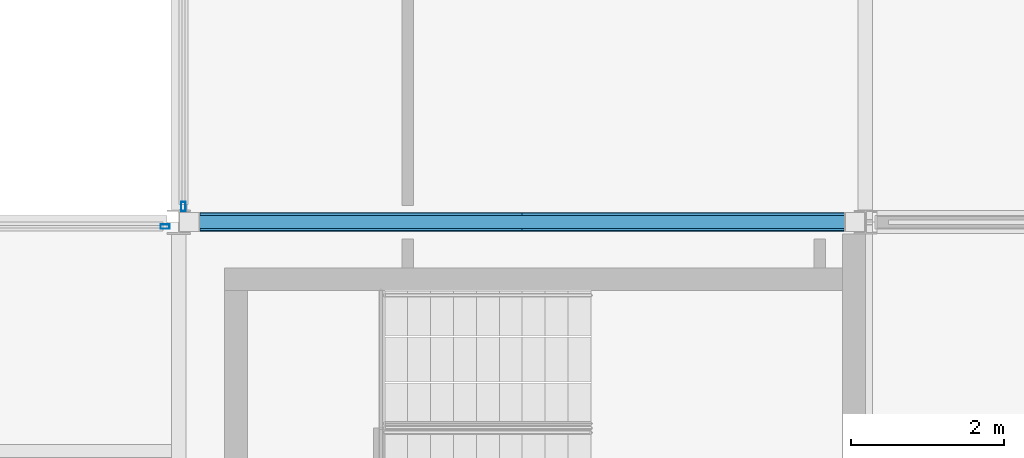
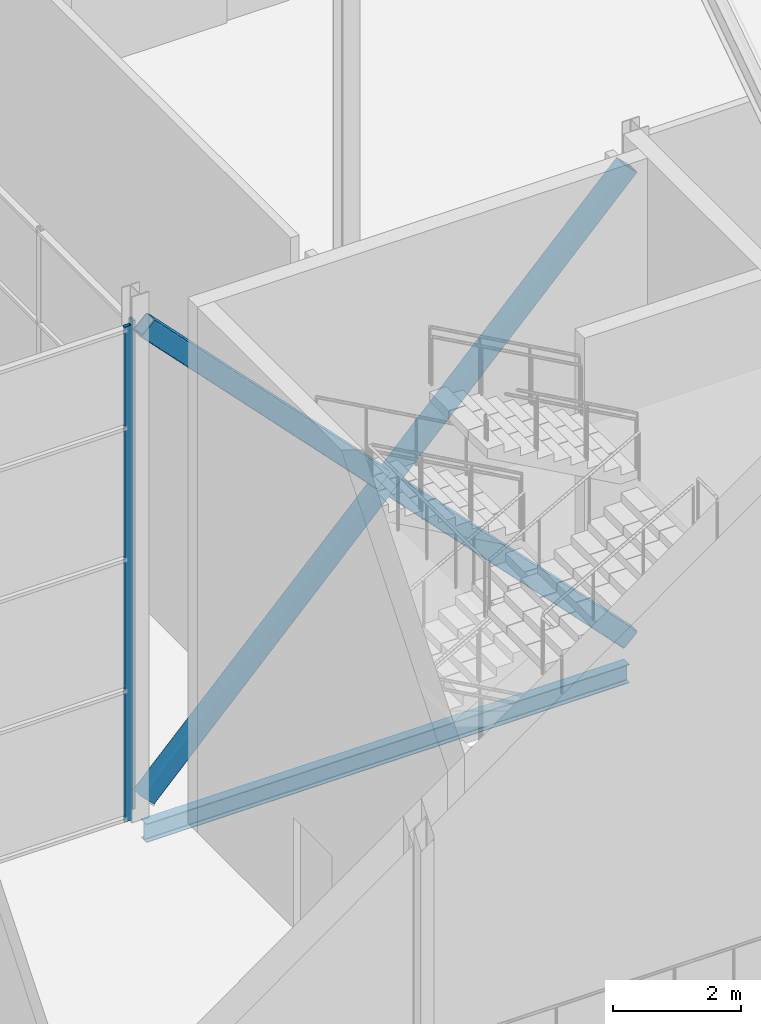
# One storey, part 30 of 111: 4 members, 1 beam, 2 elements without a shape of their own.
"""IFC4 building model written with IfcOpenShell, lengths in metres."""

import ifcopenshell
import ifcopenshell.guid

model = None  # the IFC model being written
_history = None  # IfcOwnerHistory: only IFC2X3 demands one
_inside = {}  # id of a spatial element -> (the spatial element, [elements in it])
_under = {}  # id of a project, library or spatial element -> (it, [spatial elements below it])
_declared = {}  # id of a project -> (the project, [libraries it declares])
_typed = {}  # id of a type object -> (the type object, [elements of that type])
_made_of = {}  # id of a material, layer set ... -> (it, [elements and type objects made of it])


def new_model(schema):
    """Start an empty IFC model of exactly this schema.

    Asked for "IFC4X3", IfcOpenShell would pick the latest addendum, in which some entities
    have other attributes; the version numbers below select the first issue.
    IFC2X3 requires an IfcOwnerHistory on every rooted entity: one is made here for all.
    """
    global model, _history
    if schema == "IFC4X3":
        model = ifcopenshell.file(schema_version=(4, 3, 0, 0))
    else:
        model = ifcopenshell.file(schema=schema)
    _inside.clear()
    _under.clear()
    _declared.clear()
    _typed.clear()
    _made_of.clear()
    _history = None
    if model.schema == "IFC2X3":
        org = make("IfcOrganization", Name="unknown")
        user = make(
            "IfcPersonAndOrganization",
            ThePerson=make("IfcPerson", FamilyName="unknown"),
            TheOrganization=org,
        )
        app = make(
            "IfcApplication",
            ApplicationDeveloper=org,
            Version="unknown",
            ApplicationFullName="unknown",
            ApplicationIdentifier="unknown",
        )
        _history = make(
            "IfcOwnerHistory",
            OwningUser=user,
            OwningApplication=app,
            ChangeAction="ADDED",
            CreationDate=0,
        )
    return model


def make(cls, **values):
    """One entity of the class cls with the attributes given. An attribute that is None is left unset."""
    return model.create_entity(
        cls, **{name: value for name, value in values.items() if value is not None}
    )


def rooted(cls, **values):
    """An entity with a GlobalId (a new one), such as an element, a storey or a relation."""
    return make(cls, GlobalId=ifcopenshell.guid.new(), OwnerHistory=_history, **values)


def si_unit(unit_type, name, prefix=None):
    """IfcSIUnit, for example si_unit("LENGTHUNIT", "METRE", prefix="MILLI")."""
    return make("IfcSIUnit", UnitType=unit_type, Prefix=prefix, Name=name)


def assignment(units):
    """IfcUnitAssignment: the units of a project."""
    return None if units is None else make("IfcUnitAssignment", Units=units)


def point(xyz):
    """IfcCartesianPoint."""
    return None if xyz is None else make("IfcCartesianPoint", Coordinates=xyz)


def direction(xyz):
    """IfcDirection."""
    return None if xyz is None else make("IfcDirection", DirectionRatios=xyz)


def frame(location, z_axis=None, x_axis=None):
    """IfcAxis2Placement3D, a coordinate frame: its origin and axes. An axis left out is left unset."""
    return make(
        "IfcAxis2Placement3D",
        Location=point(location),
        Axis=direction(z_axis),
        RefDirection=direction(x_axis),
    )


def frame_2d(location, x_axis=None):
    """IfcAxis2Placement2D, a coordinate frame in the plane: its origin and x axis."""
    return make(
        "IfcAxis2Placement2D", Location=point(location), RefDirection=direction(x_axis)
    )


def origin():
    """The frame at (0, 0, 0) with its axes left unset."""
    return frame((0.0, 0.0, 0.0))


def origin_2d():
    """The frame at (0, 0) in the plane with its x axis left unset."""
    return frame_2d((0.0, 0.0))


def place(relative_to, where):
    """IfcLocalPlacement: puts the frame where relative to a parent placement (None: the world)."""
    return make(
        "IfcLocalPlacement", PlacementRelTo=relative_to, RelativePlacement=where
    )


def context(
    kind, dimensions, precision=None, world=None, true_north=None, identifier=None
):
    """IfcGeometricRepresentationContext, for example the 3D "Model" context."""
    return make(
        "IfcGeometricRepresentationContext",
        ContextIdentifier=identifier,
        ContextType=kind,
        CoordinateSpaceDimension=dimensions,
        Precision=precision,
        WorldCoordinateSystem=world,
        TrueNorth=true_north,
    )


def subcontext(parent, identifier, kind, view, scale=None):
    """IfcGeometricRepresentationSubContext, for example "Body" below "Model"."""
    return make(
        "IfcGeometricRepresentationSubContext",
        ContextIdentifier=identifier,
        ContextType=kind,
        ParentContext=parent,
        TargetScale=scale,
        TargetView=view,
    )


def project(units=None, contexts=None):
    """IfcProject with its units and contexts."""
    return rooted(
        "IfcProject",
        Name="project",
        RepresentationContexts=contexts,
        UnitsInContext=assignment(units),
    )


def spatial(cls, under=None, at=None, **own):
    """A site, building, storey or space (cls), placed at a placement, below another one or the project."""
    s = rooted(cls, ObjectPlacement=at, **own)
    if under is not None:
        _under.setdefault(under.id(), (under, []))[1].append(s)
    return s


def profile(cls, at=None, kind="AREA", **sizes):
    """A parametric profile (cls). Its sizes go by their IFC names, for example OverallWidth=200.0."""
    return make(cls, ProfileType=kind, Position=at, **sizes)


def hollow_rectangle(**sizes):
    """IfcRectangleHollowProfileDef."""
    return profile("IfcRectangleHollowProfileDef", **sizes)


def i_section(**sizes):
    """IfcIShapeProfileDef."""
    return profile("IfcIShapeProfileDef", **sizes)


def extrude(swept, where, along, depth):
    """IfcExtrudedAreaSolid: the profile swept, set in the frame where, extruded along a direction by depth."""
    return make(
        "IfcExtrudedAreaSolid",
        SweptArea=swept,
        Position=where,
        ExtrudedDirection=direction(along),
        Depth=depth,
    )


def shape(context_of_items, identifier, shape_type, items):
    """IfcShapeRepresentation: the items that make up one representation, for example the "Body"."""
    return make(
        "IfcShapeRepresentation",
        ContextOfItems=context_of_items,
        RepresentationIdentifier=identifier,
        RepresentationType=shape_type,
        Items=items,
    )


def material(Name=None, Category=None):
    """IfcMaterial."""
    return make("IfcMaterial", Name=Name, Category=Category)


def layer(
    of_material, thickness, ventilated=None, Name=None, Category=None, Priority=None
):
    """IfcMaterialLayer: one layer of a wall or slab, of a material (None: an air gap)."""
    return make(
        "IfcMaterialLayer",
        Material=of_material,
        LayerThickness=thickness,
        IsVentilated=ventilated,
        Name=Name,
        Category=Category,
        Priority=Priority,
    )


def layer_set(layers, Name=None):
    """IfcMaterialLayerSet."""
    return make("IfcMaterialLayerSet", MaterialLayers=layers, LayerSetName=Name)


def material_profile(
    of_material, cross_section, Name=None, Category=None, Priority=None
):
    """IfcMaterialProfile: a cross section and its material."""
    return make(
        "IfcMaterialProfile",
        Name=Name,
        Material=of_material,
        Profile=cross_section,
        Priority=Priority,
        Category=Category,
    )


def profile_set(profiles, Name=None, composite=None):
    """IfcMaterialProfileSet."""
    return make(
        "IfcMaterialProfileSet",
        Name=Name,
        MaterialProfiles=profiles,
        CompositeProfile=composite,
    )


def made_of(thing, what):
    """Note that an element or type object is made of a material, layer set ...; save() writes the relation."""
    if what is not None:
        _made_of.setdefault(what.id(), (what, []))[1].append(thing)
    return thing


def type_object(cls, material=None, **own):
    """A type object (cls), such as IfcWallType, which elements share."""
    return made_of(rooted(cls, **own), material)


def element(
    cls,
    number,
    at=None,
    inside=None,
    cuts=None,
    type_object=None,
    material=None,
    context=None,
    identifier="Body",
    shape_type=None,
    held_by="IfcProductDefinitionShape",
    body=None,
    shapes=None,
    **own,
):
    """One element of the class cls, such as IfcWall. Its Tag is "e" and its number.

    at: its placement. inside: the storey or other place that contains it. cuts: it is an
    opening in that element (IfcRelVoidsElement). A single representation is given by context,
    identifier, shape_type and body (its items); several are given by shapes. held_by: the class
    of the entity that holds the representations. save() writes the other relations.
    """
    e = rooted(cls, Tag="e%d" % number, ObjectPlacement=at, **own)
    if body is not None:
        shapes = [shape(context, identifier, shape_type, body)]
    if shapes is not None:
        e.Representation = make(held_by, Representations=shapes)
    if inside is not None:
        _inside.setdefault(inside.id(), (inside, []))[1].append(e)
    if cuts is not None:
        rooted(
            "IfcRelVoidsElement", RelatingBuildingElement=cuts, RelatedOpeningElement=e
        )
    if type_object is not None:
        _typed.setdefault(type_object.id(), (type_object, []))[1].append(e)
    return made_of(e, material)


def aggregate(whole, parts):
    """IfcRelAggregates: a whole, such as a stair, and the parts it consists of."""
    return rooted("IfcRelAggregates", RelatingObject=whole, RelatedObjects=parts)


def save(model, path):
    """Write the relations noted so far, then the file.

    IfcRelAggregates (storeys below a building ...), IfcRelContainedInSpatialStructure (elements
    in a storey), IfcRelDefinesByType, IfcRelAssociatesMaterial and IfcRelDeclares: one each for
    every whole, place, type object, material and project.
    """
    for whole, parts in _under.values():
        aggregate(whole, parts)
    for where, things in _inside.values():
        rooted(
            "IfcRelContainedInSpatialStructure",
            RelatedElements=things,
            RelatingStructure=where,
        )
    for kind, things in _typed.values():
        rooted("IfcRelDefinesByType", RelatedObjects=things, RelatingType=kind)
    for what, things in _made_of.values():
        rooted("IfcRelAssociatesMaterial", RelatedObjects=things, RelatingMaterial=what)
    for by, libraries in _declared.values():
        rooted("IfcRelDeclares", RelatingContext=by, RelatedDefinitions=libraries)
    model.write(path)


model = new_model("IFC4")

# Units and contexts
model_context = context("Model", 3, precision=1e-05, world=origin(), true_north=direction((0.0, 1.0)))
body_context = subcontext(model_context, "Body", "Model", "MODEL_VIEW")
ifc_project = project(units=[si_unit("LENGTHUNIT", "METRE"), si_unit("AREAUNIT", "SQUARE_METRE"), si_unit("VOLUMEUNIT", "CUBIC_METRE"), si_unit("PLANEANGLEUNIT", "RADIAN"), si_unit("MASSUNIT", "GRAM", prefix="KILO")], contexts=[model_context])

# Site, building, storey
site_placement = place(None, origin())
site = spatial("IfcSite", under=ifc_project, at=site_placement, CompositionType="ELEMENT")
building_placement = place(site_placement, origin())
building = spatial("IfcBuilding", under=site, at=building_placement, Name="Shorebreak Coast Museum", CompositionType="ELEMENT")
storey_placement = place(building_placement, frame((0.0, 0.0, 16.0)))
storey = spatial("IfcBuildingStorey", under=building, at=storey_placement, Name="L03", CompositionType="ELEMENT", Elevation=16.0)

# Beam
ifc_material_1 = material(Name="Steel Grade 300", Category="steel")
ifc_material_profile_1 = material_profile(ifc_material_1, i_section(OverallWidth=0.1708984375, OverallDepth=0.355712890625, WebThickness=0.00732421875, FlangeThickness=0.011474609375, FilletRadius=0.011474609375, at=origin_2d()), Name="360UB50.7")
ifc_profile_set_1 = profile_set([ifc_material_profile_1], Name="Steel Grade 300")
beam_type = type_object("IfcBeamType", Name="Floor girder east-west 360UB50.7", PredefinedType="BEAM", material=ifc_profile_set_1)
beam_placement = place(storey_placement, frame((108.155517578125, 63.0, -0.352783203125), z_axis=(1.0, 0.0, 0.0), x_axis=(0.0, 1.0, 0.0)))
element("IfcBeam", 1, at=beam_placement, inside=storey, type_object=beam_type, Name="Floor girder east-west L03 13H", PredefinedType="BEAM", context=body_context, shape_type="SweptSolid", body=[
    extrude(i_section(OverallWidth=0.1708984375, OverallDepth=0.355712890625, WebThickness=0.00732421875, FlangeThickness=0.011474609375, FilletRadius=0.011474609375, at=origin_2d()), origin(), (0.0, 0.0, 1.0), 8.69091796875),
])

# Curtain wall, member
ifc_material_2 = material(Name="Aluminium", Category="aluminium")
ifc_layer = layer(ifc_material_2, 0.1201171875)
ifc_layer_set = layer_set([ifc_layer], Name="Aluminium")
curtain_wall_type = type_object("IfcCurtainWallType", Name="Atrium fire screen", PredefinedType="NOTDEFINED", material=ifc_layer_set)
curtain_wall_1_placement = place(storey_placement, origin())
curtain_wall_1 = element("IfcCurtainWall", 2, at=curtain_wall_1_placement, inside=storey, type_object=curtain_wall_type, Name="Atrium screen L03 S 38", PredefinedType="NOTDEFINED")
ifc_material_3 = material(Name="Aluminium", Category="aluminium")
ifc_material_profile_2 = material_profile(ifc_material_3, hollow_rectangle(XDim=0.06005859375, YDim=0.1201171875, WallThickness=0.00341796875, at=origin_2d()), Name="AL 120x60 RHS")
ifc_profile_set_2 = profile_set([ifc_material_profile_2], Name="Aluminium")
member_type_1 = type_object("IfcMemberType", Name="Screen mullion 50 x 120", PredefinedType="MULLION", material=ifc_profile_set_2)
member_1_placement = place(storey_placement, frame((107.820556640625, 62.93994140625, 0.0), z_axis=(0.0, 0.0, 1.0), x_axis=(0.0, 1.0, 0.0)))
member_1 = element("IfcMember", 3, at=member_1_placement, type_object=member_type_1, Name="CW6 mullion 4", PredefinedType="MULLION", context=body_context, shape_type="SweptSolid", body=[
    extrude(hollow_rectangle(XDim=0.06005859375, YDim=0.1201171875, WallThickness=0.00341796875, at=origin_2d()), origin(), (0.0, 0.0, 1.0), 9.42236328125),
])
aggregate(curtain_wall_1, [member_1])

curtain_wall_2_placement = place(storey_placement, origin())
curtain_wall_2 = element("IfcCurtainWall", 4, at=curtain_wall_2_placement, inside=storey, type_object=curtain_wall_type, Name="Atrium screen L03 E 47", PredefinedType="NOTDEFINED")
member_2_placement = place(storey_placement, frame((108.06005859375, 63.203369140625, 0.0), z_axis=(0.0, 0.0, 1.0), x_axis=(-1.0, 0.0, 0.0)))
member_2 = element("IfcMember", 5, at=member_2_placement, type_object=member_type_1, Name="CW6 mullion 1", PredefinedType="MULLION", context=body_context, shape_type="SweptSolid", body=[
    extrude(hollow_rectangle(XDim=0.06005859375, YDim=0.1201171875, WallThickness=0.00341796875, at=origin_2d()), origin(), (0.0, 0.0, 1.0), 9.296875),
])
aggregate(curtain_wall_2, [member_2])

# Members
ifc_material_4 = material(Name="Steel Grade C450L0", Category="steel")
ifc_material_profile_3 = material_profile(ifc_material_4, hollow_rectangle(XDim=0.25, YDim=0.35009765625, WallThickness=0.012451171875, InnerFilletRadius=0.018798828125, OuterFilletRadius=0.03125, at=origin_2d()), Name="350x250x12.5 RHS")
ifc_profile_set_3 = profile_set([ifc_material_profile_3], Name="Steel Grade C450L0")
member_type_2 = type_object("IfcMemberType", Name="X-brace 350x250x12.5 RHS", PredefinedType="BRACE", material=ifc_profile_set_3)
for number, where, z_axis, x_axis, name in (
    (6, (108.154541015625, 63.0, 0.300048828125), (0.695732528461, 0.0, 0.718300945873), (0.0, 1.0, 0.0), "X-brace bay 02 L03 diagonal 1"),
    (7, (116.847412109375, 63.0, 0.300048828125), (-0.695732528461, 0.0, 0.718300945873), (0.0, -1.0, 0.0), "X-brace bay 02 L03 diagonal 2"),
):
    element("IfcMember", number, at=place(storey_placement, frame(where, z_axis=z_axis, x_axis=x_axis)), inside=storey, type_object=member_type_2, Name=name, PredefinedType="BRACE", context=body_context, shape_type="SweptSolid", body=[
        extrude(hollow_rectangle(XDim=0.25, YDim=0.35009765625, WallThickness=0.012451171875, InnerFilletRadius=0.018798828125, OuterFilletRadius=0.03125, at=origin_2d()), origin(), (0.0, 0.0, 1.0), 12.49462890625),
    ])

save(model, "model.ifc")
